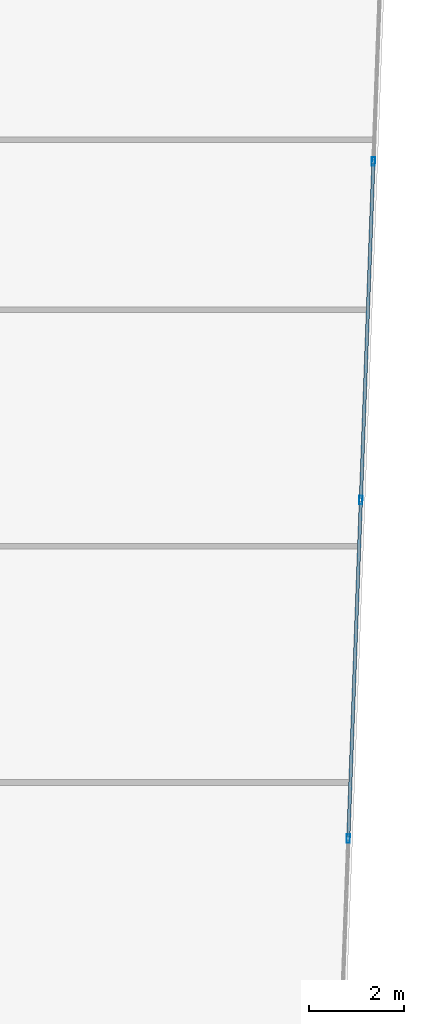
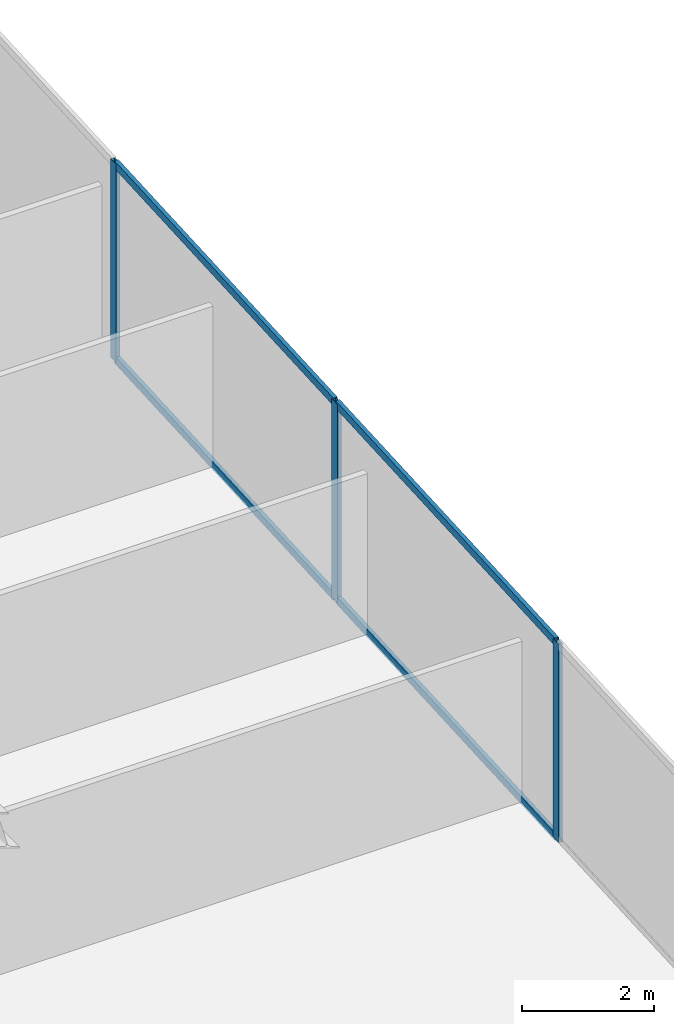
# One storey, part 16 of 30: 7 members, 1 element without a shape of its own.
"""IFC4 building model written with IfcOpenShell, lengths in metres."""

from ifc_helpers import new_model, si_unit, direction, frame, origin, origin_2d, place, context, subcontext, project, spatial, hollow_rectangle, extrude, source, transform, mapped, material, material_profile, profile_set, type_object, type_shapes, element, aggregate, save


model = new_model("IFC4")

# Units and contexts
model_context = context("Model", 3, precision=1e-05, world=origin(), true_north=direction((0.0, 1.0)))
body_context = subcontext(model_context, "Body", "Model", "MODEL_VIEW")
ifc_project = project(units=[si_unit("LENGTHUNIT", "METRE"), si_unit("AREAUNIT", "SQUARE_METRE"), si_unit("VOLUMEUNIT", "CUBIC_METRE"), si_unit("PLANEANGLEUNIT", "RADIAN"), si_unit("MASSUNIT", "GRAM", prefix="KILO")], contexts=[model_context])

# Site, building, storey
site_placement = place(None, origin())
site = spatial("IfcSite", under=ifc_project, at=site_placement, CompositionType="ELEMENT")
building_placement = place(site_placement, origin())
building = spatial("IfcBuilding", under=site, at=building_placement, Name="Krantzveldt Concourse Tower", CompositionType="ELEMENT")
storey_placement = place(building_placement, frame((0.0, 0.0, 36.85009765625)))
storey = spatial("IfcBuildingStorey", under=building, at=storey_placement, Name="L08", CompositionType="ELEMENT", Elevation=36.85009765625)

# Curtain wall, members
ifc_material = material(Name="Anodised aluminium 6063-T6", Category="aluminium")
curtain_wall_type = type_object("IfcCurtainWallType", Name="CW2", PredefinedType="USERDEFINED", material=ifc_material)
curtain_wall_placement = place(storey_placement, origin())
curtain_wall = element("IfcCurtainWall", 1, at=curtain_wall_placement, inside=storey, type_object=curtain_wall_type, Name="CW-L08-F07", ObjectType="UNITISED CURTAIN WALL", PredefinedType="USERDEFINED")
ifc_material_profile_1 = material_profile(ifc_material, hollow_rectangle(XDim=0.070068359375, YDim=0.179931640625, WallThickness=0.0048828125, at=origin_2d()), Name="Anodised aluminium 6063-T6", Category="aluminium")
ifc_profile_set_1 = profile_set([ifc_material_profile_1], Name="Anodised aluminium 6063-T6 - ALU-MULL 180x70x5")
member_type_1 = type_object("IfcMemberType", Name="CW-MUL-180", PredefinedType="MULLION", material=ifc_profile_set_1)
shared_shape_1 = source(origin(), body_context, "Body", "SweptSolid", [
    extrude(hollow_rectangle(XDim=0.070068359375, YDim=0.179931640625, WallThickness=0.0048828125, at=origin_2d()), origin(), (0.0, 0.0, 1.0), 3.669921875),
])
type_shapes(member_type_1, [shared_shape_1])
member_1_placement = place(storey_placement, frame((60.627197265625, 18.614501953125, 0.0), z_axis=(0.0, 0.0, 1.0), x_axis=(-0.999312308986, 0.037079766834, 0.0)))
member_1 = element("IfcMember", 2, at=member_1_placement, type_object=member_type_1, Name="CW-Z12 mullion 3", PredefinedType="MULLION", context=body_context, shape_type="MappedRepresentation", body=[
    mapped(shared_shape_1, transform((0.0, 0.0, 0.0), x_axis=(1.0, 0.0, 0.0), y_axis=(0.0, 1.0, 0.0), z_axis=(0.0, 0.0, 1.0), scale=1.0)),
])
member_2_placement = place(storey_placement, frame((60.892822265625, 25.7763671875, 0.0), z_axis=(0.0, 0.0, 1.0), x_axis=(-0.999312308986, 0.037079766834, 0.0)))
member_2 = element("IfcMember", 3, at=member_2_placement, type_object=member_type_1, Name="CW-Z12 mullion 4", PredefinedType="MULLION", context=body_context, shape_type="MappedRepresentation", body=[
    mapped(shared_shape_1, transform((0.0, 0.0, 0.0), x_axis=(1.0, 0.0, 0.0), y_axis=(0.0, 1.0, 0.0), z_axis=(0.0, 0.0, 1.0), scale=1.0)),
])
member_3_placement = place(storey_placement, frame((61.15869140625, 32.93798828125, 0.0), z_axis=(0.0, 0.0, 1.0), x_axis=(-0.999312308986, 0.037079766834, 0.0)))
member_3 = element("IfcMember", 4, at=member_3_placement, type_object=member_type_1, Name="CW-Z12 mullion 5", PredefinedType="MULLION", context=body_context, shape_type="MappedRepresentation", body=[
    mapped(shared_shape_1, transform((0.0, 0.0, 0.0), x_axis=(1.0, 0.0, 0.0), y_axis=(0.0, 1.0, 0.0), z_axis=(0.0, 0.0, 1.0), scale=1.0)),
])
ifc_material_profile_2 = material_profile(ifc_material, hollow_rectangle(XDim=0.070068359375, YDim=0.139892578125, WallThickness=0.0048828125, at=origin_2d()), Name="Anodised aluminium 6063-T6", Category="aluminium")
ifc_profile_set_2 = profile_set([ifc_material_profile_2], Name="Anodised aluminium 6063-T6 - ALU-TRAN 140x70x5")
member_type_2 = type_object("IfcMemberType", Name="CW-TRN-150", PredefinedType="USERDEFINED", material=ifc_profile_set_2)
shared_shape_2 = source(origin(), body_context, "Body", "SweptSolid", [
    extrude(hollow_rectangle(XDim=0.070068359375, YDim=0.139892578125, WallThickness=0.0048828125, at=origin_2d()), origin(), (0.0, 0.0, 1.0), 7.0966796875),
])
type_shapes(member_type_2, [shared_shape_2])
member_4_placement = place(storey_placement, frame((60.62841796875, 18.649658203125, 0.034912109375), z_axis=(0.037085459975, 0.999312097724, 0.0), x_axis=(-0.999312097724, 0.037085459975, 0.0)))
member_4 = element("IfcMember", 5, at=member_4_placement, type_object=member_type_2, Name="CW-Z12 transom 3.1", ObjectType="TRANSOM", PredefinedType="USERDEFINED", context=body_context, shape_type="MappedRepresentation", body=[
    mapped(shared_shape_2, transform((0.0, 0.0, 0.0), x_axis=(1.0, 0.0, 0.0), y_axis=(0.0, 1.0, 0.0), z_axis=(0.0, 0.0, 1.0), scale=1.0)),
])
member_5_placement = place(storey_placement, frame((60.62841796875, 18.649658203125, 3.635009765625), z_axis=(0.037085459975, 0.999312097724, 0.0), x_axis=(-0.999312097724, 0.037085459975, 0.0)))
member_5 = element("IfcMember", 6, at=member_5_placement, type_object=member_type_2, Name="CW-Z12 transom 3.2", ObjectType="TRANSOM", PredefinedType="USERDEFINED", context=body_context, shape_type="MappedRepresentation", body=[
    mapped(shared_shape_2, transform((0.0, 0.0, 0.0), x_axis=(1.0, 0.0, 0.0), y_axis=(0.0, 1.0, 0.0), z_axis=(0.0, 0.0, 1.0), scale=1.0)),
])
member_6_placement = place(storey_placement, frame((60.89404296875, 25.811279296875, 0.034912109375), z_axis=(0.037085459975, 0.999312097724, 0.0), x_axis=(-0.999312097724, 0.037085459975, 0.0)))
member_6 = element("IfcMember", 7, at=member_6_placement, type_object=member_type_2, Name="CW-Z12 transom 4.1", ObjectType="TRANSOM", PredefinedType="USERDEFINED", context=body_context, shape_type="MappedRepresentation", body=[
    mapped(shared_shape_2, transform((0.0, 0.0, 0.0), x_axis=(1.0, 0.0, 0.0), y_axis=(0.0, 1.0, 0.0), z_axis=(0.0, 0.0, 1.0), scale=1.0)),
])
member_7_placement = place(storey_placement, frame((60.89404296875, 25.811279296875, 3.635009765625), z_axis=(0.037085459975, 0.999312097724, 0.0), x_axis=(-0.999312097724, 0.037085459975, 0.0)))
member_7 = element("IfcMember", 8, at=member_7_placement, type_object=member_type_2, Name="CW-Z12 transom 4.2", ObjectType="TRANSOM", PredefinedType="USERDEFINED", context=body_context, shape_type="MappedRepresentation", body=[
    mapped(shared_shape_2, transform((0.0, 0.0, 0.0), x_axis=(1.0, 0.0, 0.0), y_axis=(0.0, 1.0, 0.0), z_axis=(0.0, 0.0, 1.0), scale=1.0)),
])
aggregate(curtain_wall, [member_1, member_2, member_3, member_4, member_5, member_6, member_7])

save(model, "model.ifc")
